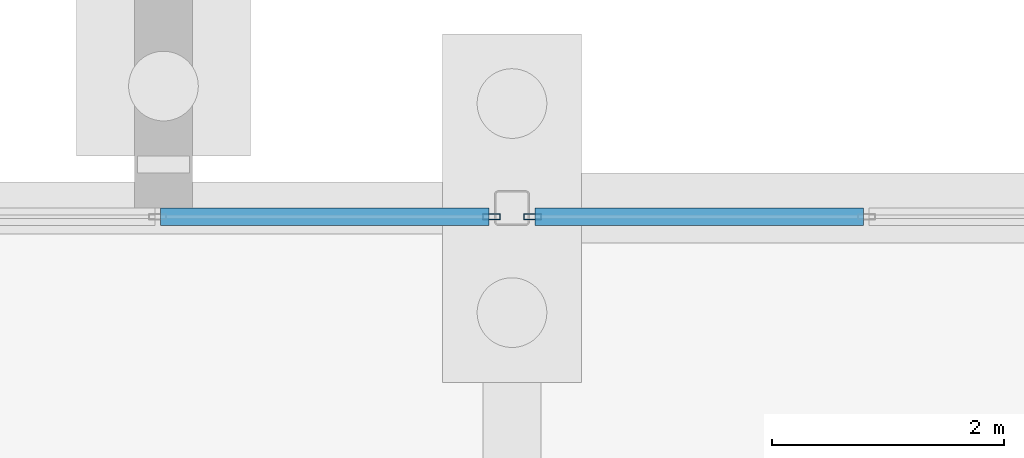
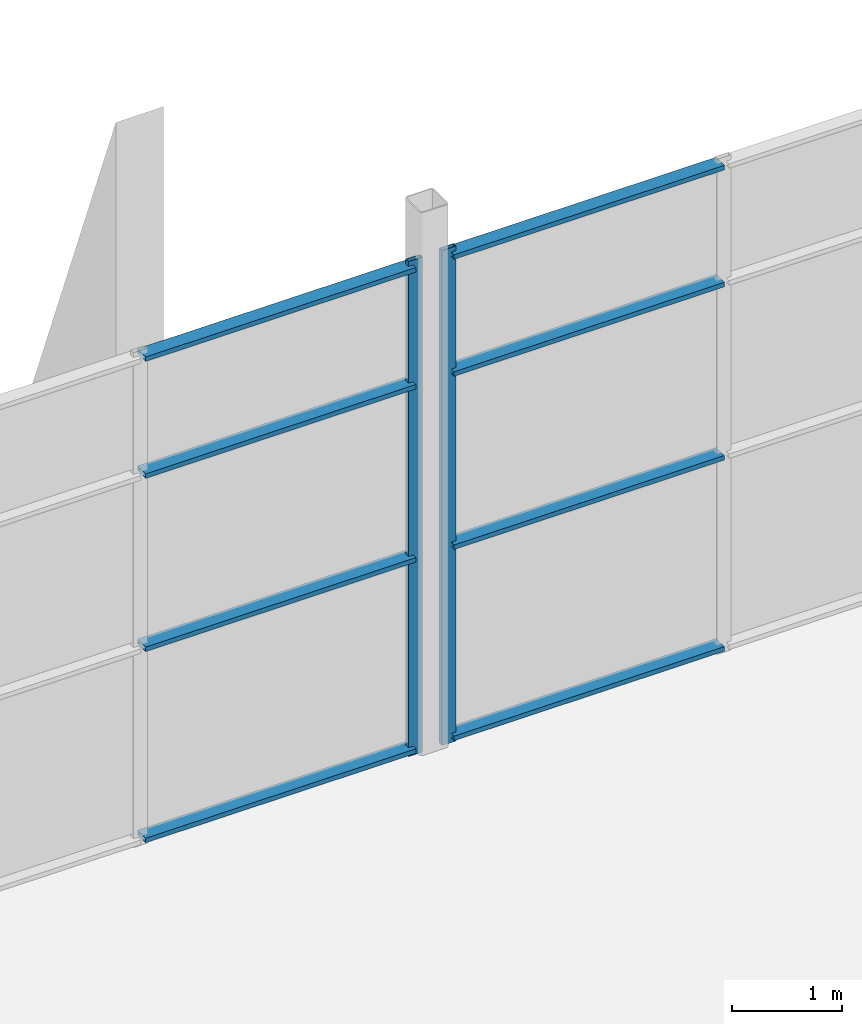
# One storey, part 84 of 139: 10 members, 2 elements without a shape of their own.
"""IFC4 building model written with IfcOpenShell, lengths in metres."""

from ifc_helpers import new_model, si_unit, direction, frame, origin, origin_2d, place, context, subcontext, project, spatial, hollow_rectangle, extrude, material, layer, layer_set, material_profile, profile_set, type_object, element, aggregate, save


model = new_model("IFC4")

# Units and contexts
model_context = context("Model", 3, precision=1e-05, world=origin(), true_north=direction((0.0, 1.0)))
body_context = subcontext(model_context, "Body", "Model", "MODEL_VIEW")
ifc_project = project(units=[si_unit("LENGTHUNIT", "METRE"), si_unit("AREAUNIT", "SQUARE_METRE"), si_unit("VOLUMEUNIT", "CUBIC_METRE"), si_unit("PLANEANGLEUNIT", "RADIAN"), si_unit("MASSUNIT", "GRAM", prefix="KILO")], contexts=[model_context])

# Site, building, storey
site_placement = place(None, origin())
site = spatial("IfcSite", under=ifc_project, at=site_placement, CompositionType="ELEMENT")
building_placement = place(site_placement, origin())
building = spatial("IfcBuilding", under=site, at=building_placement, Name="Shorebreak Coast Museum", CompositionType="ELEMENT")
storey_placement = place(building_placement, origin())
storey = spatial("IfcBuildingStorey", under=building, at=storey_placement, Name="L00", CompositionType="ELEMENT", Elevation=0.0)

# Curtain wall, member
ifc_material_1 = material(Name="Aluminium", Category="aluminium")
ifc_layer = layer(ifc_material_1, 0.14990234375)
ifc_layer_set = layer_set([ifc_layer], Name="Aluminium")
curtain_wall_type = type_object("IfcCurtainWallType", Name="Storefront curtain wall", PredefinedType="NOTDEFINED", material=ifc_layer_set)
curtain_wall_1_placement = place(storey_placement, origin())
curtain_wall_1 = element("IfcCurtainWall", 1, at=curtain_wall_1_placement, inside=storey, type_object=curtain_wall_type, Name="Storefront L00 N 5", PredefinedType="NOTDEFINED")
ifc_material_2 = material(Name="Aluminium", Category="aluminium")
ifc_material_profile_1 = material_profile(ifc_material_2, hollow_rectangle(XDim=0.050048828125, YDim=0.14990234375, WallThickness=0.00390625, at=origin_2d()), Name="AL 150x50 RHS")
ifc_profile_set_1 = profile_set([ifc_material_profile_1], Name="Aluminium")
member_type_1 = type_object("IfcMemberType", Name="Storefront mullion 50 x 150", PredefinedType="MULLION", material=ifc_profile_set_1)
member_1_placement = place(storey_placement, frame((152.824951171875, 89.925048828125, 0.0), z_axis=(0.0, 0.0, 1.0), x_axis=(0.0, 1.0, 0.0)))
member_1 = element("IfcMember", 2, at=member_1_placement, type_object=member_type_1, Name="CW8 mullion 4", PredefinedType="MULLION", context=body_context, shape_type="SweptSolid", body=[
    extrude(hollow_rectangle(XDim=0.050048828125, YDim=0.14990234375, WallThickness=0.00390625, at=origin_2d()), origin(), (0.0, 0.0, 1.0), 5.469482421875),
])

curtain_wall_2_placement = place(storey_placement, origin())
curtain_wall_2 = element("IfcCurtainWall", 3, at=curtain_wall_2_placement, inside=storey, type_object=curtain_wall_type, Name="Storefront L00 N 6", PredefinedType="NOTDEFINED")
member_2_placement = place(storey_placement, frame((153.175048828125, 89.925048828125, 0.0), z_axis=(0.0, 0.0, 1.0), x_axis=(0.0, 1.0, 0.0)))
member_2 = element("IfcMember", 4, at=member_2_placement, type_object=member_type_1, Name="CW8 mullion 1", PredefinedType="MULLION", context=body_context, shape_type="SweptSolid", body=[
    extrude(hollow_rectangle(XDim=0.050048828125, YDim=0.14990234375, WallThickness=0.00390625, at=origin_2d()), origin(), (0.0, 0.0, 1.0), 5.469482421875),
])

# Member
ifc_material_3 = material(Name="Aluminium", Category="aluminium")
ifc_material_profile_2 = material_profile(ifc_material_3, hollow_rectangle(XDim=0.14990234375, YDim=0.050048828125, WallThickness=0.00390625, at=origin_2d()), Name="AL 50x150 RHS")
ifc_profile_set_2 = profile_set([ifc_material_profile_2], Name="Aluminium")
member_type_2 = type_object("IfcMemberType", Name="Storefront transom 150 x 50", PredefinedType="USERDEFINED", material=ifc_profile_set_2)
member_3_placement = place(storey_placement, frame((149.97509765625, 89.925048828125, 0.074951171875), z_axis=(1.0, 0.0, 0.0), x_axis=(0.0, 1.0, 0.0)))
member_3 = element("IfcMember", 5, at=member_3_placement, type_object=member_type_2, Name="CW8 transom 3.1", ObjectType="TRANSOM", PredefinedType="USERDEFINED", context=body_context, shape_type="SweptSolid", body=[
    extrude(hollow_rectangle(XDim=0.14990234375, YDim=0.050048828125, WallThickness=0.00390625, at=origin_2d()), origin(), (0.0, 0.0, 1.0), 2.824951171875),
])

member_4_placement = place(storey_placement, frame((149.97509765625, 89.925048828125, 2.187744140625), z_axis=(1.0, 0.0, 0.0), x_axis=(0.0, 1.0, 0.0)))
member_4 = element("IfcMember", 6, at=member_4_placement, type_object=member_type_2, Name="CW8 transom 3.2", ObjectType="TRANSOM", PredefinedType="USERDEFINED", context=body_context, shape_type="SweptSolid", body=[
    extrude(hollow_rectangle(XDim=0.14990234375, YDim=0.050048828125, WallThickness=0.00390625, at=origin_2d()), origin(), (0.0, 0.0, 1.0), 2.824951171875),
])

member_5_placement = place(storey_placement, frame((149.97509765625, 89.925048828125, 4.10205078125), z_axis=(1.0, 0.0, 0.0), x_axis=(0.0, 1.0, 0.0)))
member_5 = element("IfcMember", 7, at=member_5_placement, type_object=member_type_2, Name="CW8 transom 3.3", ObjectType="TRANSOM", PredefinedType="USERDEFINED", context=body_context, shape_type="SweptSolid", body=[
    extrude(hollow_rectangle(XDim=0.14990234375, YDim=0.050048828125, WallThickness=0.00390625, at=origin_2d()), origin(), (0.0, 0.0, 1.0), 2.824951171875),
])

member_6_placement = place(storey_placement, frame((149.97509765625, 89.925048828125, 5.394287109375), z_axis=(1.0, 0.0, 0.0), x_axis=(0.0, 1.0, 0.0)))
member_6 = element("IfcMember", 8, at=member_6_placement, type_object=member_type_2, Name="CW8 transom 3.4", ObjectType="TRANSOM", PredefinedType="USERDEFINED", context=body_context, shape_type="SweptSolid", body=[
    extrude(hollow_rectangle(XDim=0.14990234375, YDim=0.050048828125, WallThickness=0.00390625, at=origin_2d()), origin(), (0.0, 0.0, 1.0), 2.824951171875),
])

aggregate(curtain_wall_1, [member_1, member_3, member_4, member_5, member_6])

member_7_placement = place(storey_placement, frame((153.199951171875, 89.925048828125, 0.074951171875), z_axis=(1.0, 0.0, 0.0), x_axis=(0.0, 1.0, 0.0)))
member_7 = element("IfcMember", 9, at=member_7_placement, type_object=member_type_2, Name="CW8 transom 1.1", ObjectType="TRANSOM", PredefinedType="USERDEFINED", context=body_context, shape_type="SweptSolid", body=[
    extrude(hollow_rectangle(XDim=0.14990234375, YDim=0.050048828125, WallThickness=0.00390625, at=origin_2d()), origin(), (0.0, 0.0, 1.0), 2.824951171875),
])

member_8_placement = place(storey_placement, frame((153.199951171875, 89.925048828125, 2.187744140625), z_axis=(1.0, 0.0, 0.0), x_axis=(0.0, 1.0, 0.0)))
member_8 = element("IfcMember", 10, at=member_8_placement, type_object=member_type_2, Name="CW8 transom 1.2", ObjectType="TRANSOM", PredefinedType="USERDEFINED", context=body_context, shape_type="SweptSolid", body=[
    extrude(hollow_rectangle(XDim=0.14990234375, YDim=0.050048828125, WallThickness=0.00390625, at=origin_2d()), origin(), (0.0, 0.0, 1.0), 2.824951171875),
])

member_9_placement = place(storey_placement, frame((153.199951171875, 89.925048828125, 4.10205078125), z_axis=(1.0, 0.0, 0.0), x_axis=(0.0, 1.0, 0.0)))
member_9 = element("IfcMember", 11, at=member_9_placement, type_object=member_type_2, Name="CW8 transom 1.3", ObjectType="TRANSOM", PredefinedType="USERDEFINED", context=body_context, shape_type="SweptSolid", body=[
    extrude(hollow_rectangle(XDim=0.14990234375, YDim=0.050048828125, WallThickness=0.00390625, at=origin_2d()), origin(), (0.0, 0.0, 1.0), 2.824951171875),
])

member_10_placement = place(storey_placement, frame((153.199951171875, 89.925048828125, 5.394287109375), z_axis=(1.0, 0.0, 0.0), x_axis=(0.0, 1.0, 0.0)))
member_10 = element("IfcMember", 12, at=member_10_placement, type_object=member_type_2, Name="CW8 transom 1.4", ObjectType="TRANSOM", PredefinedType="USERDEFINED", context=body_context, shape_type="SweptSolid", body=[
    extrude(hollow_rectangle(XDim=0.14990234375, YDim=0.050048828125, WallThickness=0.00390625, at=origin_2d()), origin(), (0.0, 0.0, 1.0), 2.824951171875),
])

aggregate(curtain_wall_2, [member_2, member_7, member_8, member_9, member_10])

save(model, "model.ifc")
